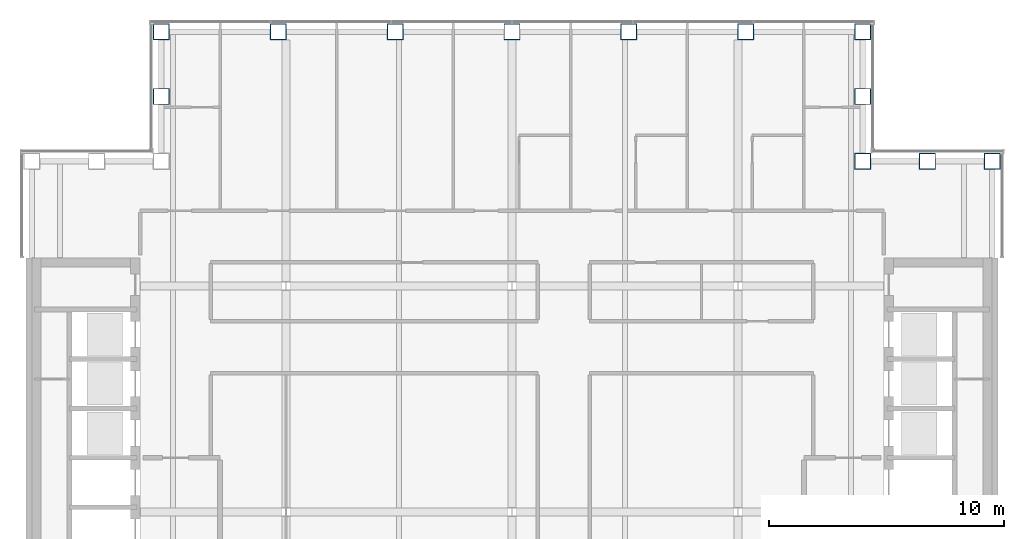
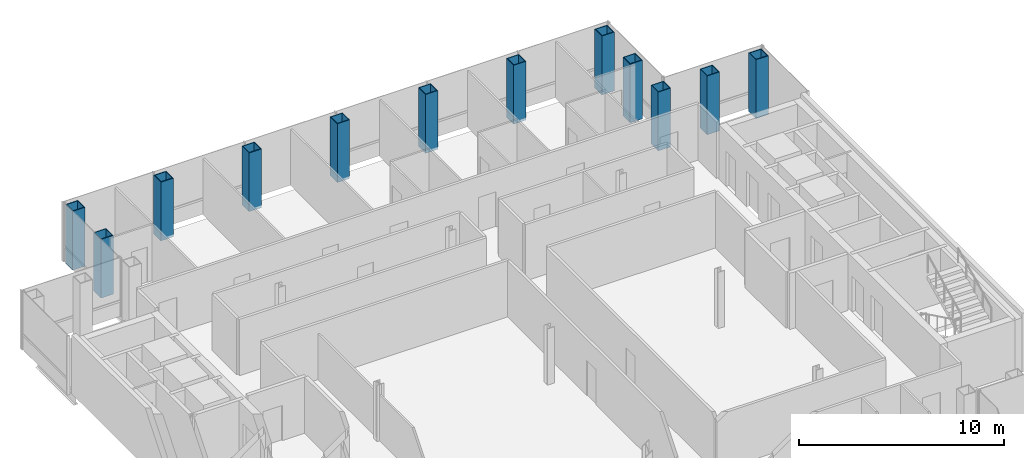
# One storey, part 2 of 15: 12 columns.
"""IFC4 building model written with IfcOpenShell, lengths in metres."""

from ifc_helpers import new_model, si_unit, direction, frame, origin, origin_2d, place, context, subcontext, project, spatial, hollow_rectangle, extrude, material, material_profile, profile_set, type_object, element, save


model = new_model("IFC4")

# Units and contexts
model_context = context("Model", 3, precision=1e-05, world=origin(), true_north=direction((0.0, 1.0)))
body_context = subcontext(model_context, "Body", "Model", "MODEL_VIEW")
ifc_project = project(units=[si_unit("LENGTHUNIT", "METRE"), si_unit("AREAUNIT", "SQUARE_METRE"), si_unit("VOLUMEUNIT", "CUBIC_METRE"), si_unit("PLANEANGLEUNIT", "RADIAN"), si_unit("MASSUNIT", "GRAM", prefix="KILO")], contexts=[model_context])

# Site, building, storey
site_placement = place(None, origin())
site = spatial("IfcSite", under=ifc_project, at=site_placement, CompositionType="ELEMENT")
building_placement = place(site_placement, origin())
building = spatial("IfcBuilding", under=site, at=building_placement, Name="Cobrizo Arcos Hotel Tower", CompositionType="ELEMENT")
storey_placement = place(building_placement, frame((0.0, 0.0, 215.5)))
storey = spatial("IfcBuildingStorey", under=building, at=storey_placement, Name="L56", CompositionType="ELEMENT", Elevation=215.5)

# Columns
ifc_material = material(Name="Steel ASTM A572 Grade 50", Category="steel")
ifc_material_profile = material_profile(ifc_material, hollow_rectangle(XDim=0.699951171875, YDim=0.699951171875, WallThickness=0.0400390625, at=origin_2d()), Name="BOX 700X700X40")
ifc_profile_set = profile_set([ifc_material_profile], Name="Steel ASTM A572 Grade 50")
column_type = type_object("IfcColumnType", Name="BOX 700X700X40 column", PredefinedType="COLUMN", material=ifc_profile_set)
for number, where, z_axis, x_axis, name in (
    (1, (-14.89990234375, 20.39990234375, -0.14990234375), (0.0, 0.0, 1.0), (1.0, 0.0, 0.0), "Perimeter column C10, L56, no. 00"),
    (2, (-9.93310546875, 20.39990234375, -0.14990234375), (0.0, 0.0, 1.0), (1.0, 0.0, 0.0), "Perimeter column C10, L56, no. 02"),
    (3, (-4.967041015625, 20.39990234375, -0.14990234375), (0.0, 0.0, 1.0), (1.0, 0.0, 0.0), "Perimeter column C10, L56, no. 04"),
    (4, (0.0, 20.39990234375, -0.14990234375), (0.0, 0.0, 1.0), (1.0, 0.0, 0.0), "Perimeter column C10, L56, no. 06"),
    (5, (4.967041015625, 20.39990234375, -0.14990234375), (0.0, 0.0, 1.0), (1.0, 0.0, 0.0), "Perimeter column C10, L56, no. 08"),
    (6, (9.93310546875, 20.39990234375, -0.14990234375), (0.0, 0.0, 1.0), (1.0, 0.0, 0.0), "Perimeter column C10, L56, no. 10"),
    (7, (14.89990234375, 20.39990234375, -0.14990234375), (0.0, 0.0, 1.0), (1.0, 0.0, 0.0), "Perimeter column C10, L56, no. 12"),
    (8, (20.39990234375, 14.89990234375, -0.14990234375), (0.0, 0.0, 1.0), (1.0, 0.0, 0.0), "Perimeter column C10, L56, no. 16"),
    (9, (-14.89990234375, 17.64990234375, -0.14990234375), (0.0, 0.0, 1.0), (1.0, 0.0, 0.0), "Perimeter column C10, L56, no. 22"),
    (10, (14.89990234375, 14.89990234375, -0.14990234375), (0.0, 0.0, 1.0), (1.0, 0.0, 0.0), "Perimeter column C10, L56, no. 27"),
    (11, (14.89990234375, 17.64990234375, -0.14990234375), (0.0, 0.0, 1.0), (1.0, 0.0, 0.0), "Perimeter column C10, L56, no. 28"),
    (12, (17.64990234375, 14.89990234375, -0.14990234375), (0.0, 0.0, 1.0), (1.0, 0.0, 0.0), "Perimeter column C10, L56, no. 29"),
):
    element("IfcColumn", number, at=place(storey_placement, frame(where, z_axis=z_axis, x_axis=x_axis)), inside=storey, type_object=column_type, Name=name, PredefinedType="COLUMN", context=body_context, shape_type="SweptSolid", body=[
        extrude(hollow_rectangle(XDim=0.699951171875, YDim=0.699951171875, WallThickness=0.0400390625, at=origin_2d()), origin(), (0.0, 0.0, 1.0), 3.5),
    ])

save(model, "model.ifc")
